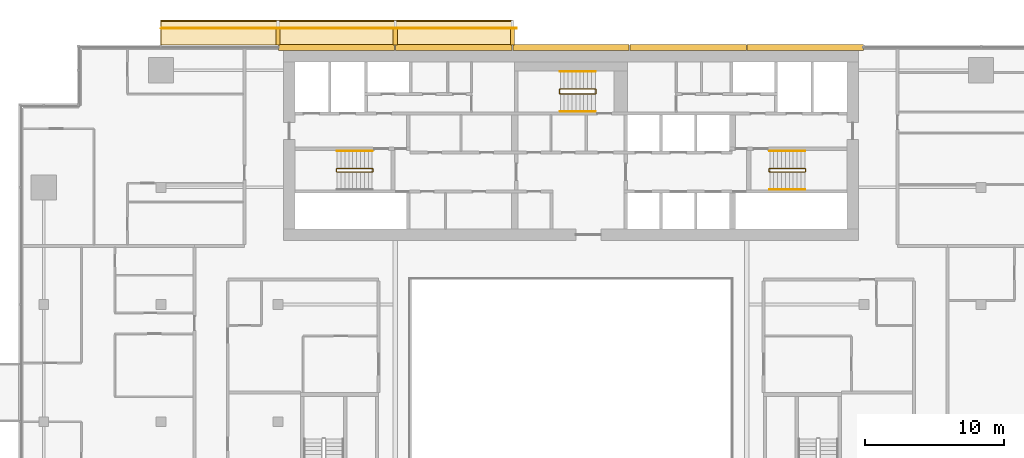
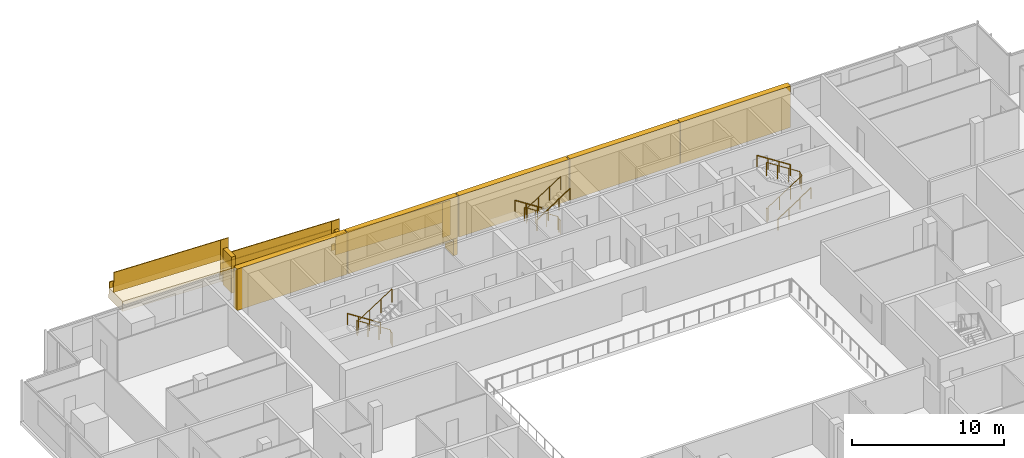
# One storey, part 27 of 28: 14 coverings, 14 railings.
"""IFC4 building model written with IfcOpenShell, lengths in metres."""

from ifc_helpers import new_model, si_unit, direction, frame, origin, origin_2d, place, context, subcontext, project, spatial, polyline, rectangle, circle, outline, extrude, material, layer, layer_set, type_object, element, save


model = new_model("IFC4")

# Units and contexts
model_context = context("Model", 3, precision=1e-05, world=origin(), true_north=direction((0.0, 1.0)))
body_context = subcontext(model_context, "Body", "Model", "MODEL_VIEW")
ifc_project = project(units=[si_unit("LENGTHUNIT", "METRE"), si_unit("AREAUNIT", "SQUARE_METRE"), si_unit("VOLUMEUNIT", "CUBIC_METRE"), si_unit("PLANEANGLEUNIT", "RADIAN"), si_unit("MASSUNIT", "GRAM", prefix="KILO")], contexts=[model_context])

# Site, building, storey
site_placement = place(None, origin())
site = spatial("IfcSite", under=ifc_project, at=site_placement, CompositionType="ELEMENT")
building_placement = place(site_placement, origin())
building = spatial("IfcBuilding", under=site, at=building_placement, Name="Saffron Gate Tower", CompositionType="ELEMENT")
storey_placement = place(building_placement, frame((0.0, 0.0, 176.25)))
storey = spatial("IfcBuildingStorey", under=building, at=storey_placement, Name="L43", CompositionType="ELEMENT", Elevation=176.25)

# Coverings
ifc_material_1 = material(Name="Ceramic-printed bronze insulated panel")
ifc_layer_1 = layer(ifc_material_1, 0.43994140625)
ifc_layer_set_1 = layer_set([ifc_layer_1], Name="CLD3 ceramic-printed cladding panel 440")
covering_type_1 = type_object("IfcCoveringType", Name="CLD3 ceramic-printed cladding panel 440", PredefinedType="CLADDING", material=ifc_layer_set_1)
covering_1_placement = place(storey_placement, origin())
element("IfcCovering", 1, at=covering_1_placement, inside=storey, type_object=covering_type_1, Name="CLADDING ceramic-printed panel", PredefinedType="CLADDING", context=body_context, shape_type="SweptSolid", body=[
    extrude(outline(polyline([(108.56494140625, 75.639892578125), (100.235107421875, 75.639892578125), (100.235107421875, 75.199951171875), (108.56494140625, 75.199951171875), (108.56494140625, 75.639892578125)])), origin(), (0.0, 0.0, 1.0), 3.320068359375),
])
covering_2_placement = place(storey_placement, origin())
element("IfcCovering", 2, at=covering_2_placement, inside=storey, type_object=covering_type_1, Name="CLADDING ceramic-printed panel", PredefinedType="CLADDING", context=body_context, shape_type="SweptSolid", body=[
    extrude(outline(polyline([(100.1650390625, 75.639892578125), (91.8349609375, 75.639892578125), (91.8349609375, 75.199951171875), (100.1650390625, 75.199951171875), (100.1650390625, 75.639892578125)])), origin(), (0.0, 0.0, 1.0), 3.320068359375),
])
covering_3_placement = place(storey_placement, origin())
element("IfcCovering", 3, at=covering_3_placement, inside=storey, type_object=covering_type_1, Name="CLADDING ceramic-printed panel", PredefinedType="CLADDING", context=body_context, shape_type="SweptSolid", body=[
    extrude(outline(polyline([(91.764892578125, 75.639892578125), (83.43505859375, 75.639892578125), (83.43505859375, 75.199951171875), (91.764892578125, 75.199951171875), (91.764892578125, 75.639892578125)])), origin(), (0.0, 0.0, 1.0), 3.320068359375),
])
covering_4_placement = place(storey_placement, origin())
element("IfcCovering", 4, at=covering_4_placement, inside=storey, type_object=covering_type_1, Name="CLADDING ceramic-printed panel", PredefinedType="CLADDING", context=body_context, shape_type="SweptSolid", body=[
    extrude(outline(polyline([(83.364990234375, 75.639892578125), (75.034912109375, 75.639892578125), (75.034912109375, 75.199951171875), (83.364990234375, 75.199951171875), (83.364990234375, 75.639892578125)])), origin(), (0.0, 0.0, 1.0), 3.320068359375),
])
covering_5_placement = place(storey_placement, origin())
element("IfcCovering", 5, at=covering_5_placement, inside=storey, type_object=covering_type_1, Name="CLADDING ceramic-printed panel", PredefinedType="CLADDING", context=body_context, shape_type="SweptSolid", body=[
    extrude(outline(polyline([(74.965087890625, 75.639892578125), (66.635009765625, 75.639892578125), (66.635009765625, 75.199951171875), (74.965087890625, 75.199951171875), (74.965087890625, 75.639892578125)])), origin(), (0.0, 0.0, 1.0), 3.320068359375),
])

# Railings
ifc_material_2 = material(Name="Stainless steel and laminated glass", Category="steel")
railing_type_1 = type_object("IfcRailingType", Name="CR1 Stair guard 1100", PredefinedType="GUARDRAIL", material=ifc_material_2)
railing_1_placement = place(storey_placement, frame((73.39990234375, 66.550048828125, 0.0)))
element("IfcRailing", 6, at=railing_1_placement, inside=storey, type_object=railing_type_1, Name="L43 ST-A stair guard 1", PredefinedType="GUARDRAIL", context=body_context, shape_type="SweptSolid", body=[
    extrude(circle(Radius=0.02392578125, at=origin_2d()), frame((0.0, 0.0, 1.076171875), z_axis=(0.0, 1.0, 0.0), x_axis=(-1.0, 0.0, 0.0)), (0.0, 0.0, 1.0), 0.14990234375),
    extrude(circle(Radius=0.02392578125, at=origin_2d()), frame((0.0, 0.14990234375, 1.076171875), z_axis=(-0.257669022063, 0.258932105505, 0.930892496375), x_axis=(-0.708833529934, -0.705375805398, 0.0)), (0.0, 0.0, 1.0), 0.193359375),
    extrude(circle(Radius=0.02392578125, at=origin_2d()), frame((-0.0498046875, 0.199951171875, 1.255859375), z_axis=(-0.841162588446, 0.0, 0.540782303519), x_axis=(0.0, -1.0, 0.0)), (0.0, 0.0, 1.0), 2.995849609375),
    extrude(circle(Radius=0.02392578125, at=origin_2d()), frame((-2.56982421875, 0.199951171875, 2.8759765625), z_axis=(-0.707106781187, -0.707106781187, 0.0), x_axis=(0.707106781187, -0.707106781187, 0.0)), (0.0, 0.0, 1.0), 0.07080078125),
    extrude(circle(Radius=0.02392578125, at=origin_2d()), frame((-2.619873046875, 0.14990234375, 2.8759765625), z_axis=(0.0, -1.0, 0.0), x_axis=(1.0, 0.0, 0.0)), (0.0, 0.0, 1.0), 0.14990234375),
    extrude(circle(Radius=0.02392578125, at=origin_2d()), frame((-2.619873046875, 0.0, 2.8759765625), z_axis=(0.258847668887, -0.258847668887, 0.930588936439), x_axis=(0.707106781187, 0.707106781187, 0.0)), (0.0, 0.0, 1.0), 0.193359375),
    extrude(circle(Radius=0.02392578125, at=origin_2d()), frame((-2.56982421875, -0.050048828125, 3.05615234375), z_axis=(0.841162588446, 0.0, 0.540782303519), x_axis=(0.0, 1.0, 0.0)), (0.0, 0.0, 1.0), 2.995849609375),
    extrude(circle(Radius=0.02099609375, at=origin_2d()), origin(), (0.0, 0.0, 1.0), 1.052001953125),
    extrude(circle(Radius=0.02099609375, at=origin_2d()), frame((0.0, 0.14990234375, 0.0)), (0.0, 0.0, 1.0), 1.052001953125),
    extrude(circle(Radius=0.02099609375, at=origin_2d()), frame((-0.0498046875, 0.199951171875, 0.179931640625)), (0.0, 0.0, 1.0), 1.052001953125),
    extrude(circle(Radius=0.02099609375, at=origin_2d()), frame((-0.889892578125, 0.199951171875, 0.719970703125)), (0.0, 0.0, 1.0), 1.052001953125),
    extrude(circle(Radius=0.02099609375, at=origin_2d()), frame((-1.729736328125, 0.199951171875, 1.260009765625)), (0.0, 0.0, 1.0), 1.052001953125),
    extrude(circle(Radius=0.02099609375, at=origin_2d()), frame((-2.56982421875, 0.199951171875, 1.800048828125)), (0.0, 0.0, 1.0), 1.052001953125),
    extrude(circle(Radius=0.02099609375, at=origin_2d()), frame((-2.619873046875, 0.14990234375, 1.800048828125)), (0.0, 0.0, 1.0), 1.052001953125),
    extrude(circle(Radius=0.02099609375, at=origin_2d()), frame((-2.619873046875, 0.0, 1.800048828125)), (0.0, 0.0, 1.0), 1.052001953125),
    extrude(circle(Radius=0.02099609375, at=origin_2d()), frame((-2.56982421875, -0.050048828125, 1.97998046875)), (0.0, 0.0, 1.0), 1.052001953125),
    extrude(circle(Radius=0.02099609375, at=origin_2d()), frame((-1.729736328125, -0.050048828125, 2.52001953125)), (0.0, 0.0, 1.0), 1.052001953125),
    extrude(circle(Radius=0.02099609375, at=origin_2d()), frame((-0.889892578125, -0.050048828125, 3.06005859375)), (0.0, 0.0, 1.0), 1.052001953125),
    extrude(circle(Radius=0.02099609375, at=origin_2d()), frame((-0.0498046875, -0.050048828125, 3.60009765625)), (0.0, 0.0, 1.0), 1.052001953125),
])
railing_2_placement = place(storey_placement, frame((101.800048828125, 66.699951171875, 0.0)))
element("IfcRailing", 7, at=railing_2_placement, inside=storey, type_object=railing_type_1, Name="L43 ST-B stair guard 1", PredefinedType="GUARDRAIL", context=body_context, shape_type="SweptSolid", body=[
    extrude(circle(Radius=0.02392578125, at=origin_2d()), frame((0.0, 0.0, 1.076171875), z_axis=(0.0, -1.0, 0.0), x_axis=(1.0, 0.0, 0.0)), (0.0, 0.0, 1.0), 0.14990234375),
    extrude(circle(Radius=0.02392578125, at=origin_2d()), frame((0.0, -0.14990234375, 1.076171875), z_axis=(0.258847668887, -0.258847668887, 0.930588936439), x_axis=(0.707106781187, 0.707106781187, 0.0)), (0.0, 0.0, 1.0), 0.193359375),
    extrude(circle(Radius=0.02392578125, at=origin_2d()), frame((0.050048828125, -0.199951171875, 1.255859375), z_axis=(0.841162588446, 0.0, 0.540782303519), x_axis=(0.0, 1.0, 0.0)), (0.0, 0.0, 1.0), 2.995849609375),
    extrude(circle(Radius=0.02392578125, at=origin_2d()), frame((2.570068359375, -0.199951171875, 2.8759765625), z_axis=(0.705375805398, 0.708833529934, 0.0), x_axis=(-0.708833529934, 0.705375805398, 0.0)), (0.0, 0.0, 1.0), 0.070556640625),
    extrude(circle(Radius=0.02392578125, at=origin_2d()), frame((2.619873046875, -0.14990234375, 2.8759765625), z_axis=(0.0, 1.0, 0.0), x_axis=(-1.0, 0.0, 0.0)), (0.0, 0.0, 1.0), 0.14990234375),
    extrude(circle(Radius=0.02392578125, at=origin_2d()), frame((2.619873046875, 0.0, 2.8759765625), z_axis=(-0.257669022063, 0.258932105505, 0.930892496375), x_axis=(-0.708833529934, -0.705375805398, 0.0)), (0.0, 0.0, 1.0), 0.193359375),
    extrude(circle(Radius=0.02392578125, at=origin_2d()), frame((2.570068359375, 0.050048828125, 3.05615234375), z_axis=(-0.841162588446, 0.0, 0.540782303519), x_axis=(0.0, -1.0, 0.0)), (0.0, 0.0, 1.0), 2.995849609375),
    extrude(circle(Radius=0.02099609375, at=origin_2d()), origin(), (0.0, 0.0, 1.0), 1.052001953125),
    extrude(circle(Radius=0.02099609375, at=origin_2d()), frame((0.0, -0.14990234375, 0.0)), (0.0, 0.0, 1.0), 1.052001953125),
    extrude(circle(Radius=0.02099609375, at=origin_2d()), frame((0.050048828125, -0.199951171875, 0.179931640625)), (0.0, 0.0, 1.0), 1.052001953125),
    extrude(circle(Radius=0.02099609375, at=origin_2d()), frame((0.89013671875, -0.199951171875, 0.719970703125)), (0.0, 0.0, 1.0), 1.052001953125),
    extrude(circle(Radius=0.02099609375, at=origin_2d()), frame((1.72998046875, -0.199951171875, 1.260009765625)), (0.0, 0.0, 1.0), 1.052001953125),
    extrude(circle(Radius=0.02099609375, at=origin_2d()), frame((2.570068359375, -0.199951171875, 1.800048828125)), (0.0, 0.0, 1.0), 1.052001953125),
    extrude(circle(Radius=0.02099609375, at=origin_2d()), frame((2.619873046875, -0.14990234375, 1.800048828125)), (0.0, 0.0, 1.0), 1.052001953125),
    extrude(circle(Radius=0.02099609375, at=origin_2d()), frame((2.619873046875, 0.0, 1.800048828125)), (0.0, 0.0, 1.0), 1.052001953125),
    extrude(circle(Radius=0.02099609375, at=origin_2d()), frame((2.570068359375, 0.050048828125, 1.97998046875)), (0.0, 0.0, 1.0), 1.052001953125),
    extrude(circle(Radius=0.02099609375, at=origin_2d()), frame((1.72998046875, 0.050048828125, 2.52001953125)), (0.0, 0.0, 1.0), 1.052001953125),
    extrude(circle(Radius=0.02099609375, at=origin_2d()), frame((0.89013671875, 0.050048828125, 3.06005859375)), (0.0, 0.0, 1.0), 1.052001953125),
    extrude(circle(Radius=0.02099609375, at=origin_2d()), frame((0.050048828125, 0.050048828125, 3.60009765625)), (0.0, 0.0, 1.0), 1.052001953125),
])
railing_3_placement = place(storey_placement, frame((89.39990234375, 72.14990234375, 0.0)))
element("IfcRailing", 8, at=railing_3_placement, inside=storey, type_object=railing_type_1, Name="L43 ST-C stair guard 1", PredefinedType="GUARDRAIL", context=body_context, shape_type="SweptSolid", body=[
    extrude(circle(Radius=0.02392578125, at=origin_2d()), frame((0.0, 0.0, 1.076171875), z_axis=(0.0, 1.0, 0.0), x_axis=(-1.0, 0.0, 0.0)), (0.0, 0.0, 1.0), 0.25),
    extrude(circle(Radius=0.02392578125, at=origin_2d()), frame((0.0, 0.25, 1.076171875), z_axis=(-0.257669022063, 0.258932105505, 0.930892496375), x_axis=(-0.708833529934, -0.705375805398, 0.0)), (0.0, 0.0, 1.0), 0.193359375),
    extrude(circle(Radius=0.02392578125, at=origin_2d()), frame((-0.0498046875, 0.300048828125, 1.255859375), z_axis=(-0.841162588446, 0.0, 0.540782303519), x_axis=(0.0, -1.0, 0.0)), (0.0, 0.0, 1.0), 2.995849609375),
    extrude(circle(Radius=0.02392578125, at=origin_2d()), frame((-2.56982421875, 0.300048828125, 2.8759765625), z_axis=(-0.707106781187, -0.707106781187, 0.0), x_axis=(0.707106781187, -0.707106781187, 0.0)), (0.0, 0.0, 1.0), 0.07080078125),
    extrude(circle(Radius=0.02392578125, at=origin_2d()), frame((-2.619873046875, 0.25, 2.8759765625), z_axis=(0.0, -1.0, 0.0), x_axis=(1.0, 0.0, 0.0)), (0.0, 0.0, 1.0), 0.25),
    extrude(circle(Radius=0.02392578125, at=origin_2d()), frame((-2.619873046875, 0.0, 2.8759765625), z_axis=(0.258932105505, -0.257669022063, 0.930892496375), x_axis=(0.705375805398, 0.708833529934, 0.0)), (0.0, 0.0, 1.0), 0.193359375),
    extrude(circle(Radius=0.02392578125, at=origin_2d()), frame((-2.56982421875, -0.0498046875, 3.05615234375), z_axis=(0.841162588446, 0.0, 0.540782303519), x_axis=(0.0, 1.0, 0.0)), (0.0, 0.0, 1.0), 2.995849609375),
    extrude(circle(Radius=0.02099609375, at=origin_2d()), origin(), (0.0, 0.0, 1.0), 1.052001953125),
    extrude(circle(Radius=0.02099609375, at=origin_2d()), frame((0.0, 0.25, 0.0)), (0.0, 0.0, 1.0), 1.052001953125),
    extrude(circle(Radius=0.02099609375, at=origin_2d()), frame((-0.0498046875, 0.300048828125, 0.179931640625)), (0.0, 0.0, 1.0), 1.052001953125),
    extrude(circle(Radius=0.02099609375, at=origin_2d()), frame((-0.889892578125, 0.300048828125, 0.719970703125)), (0.0, 0.0, 1.0), 1.052001953125),
    extrude(circle(Radius=0.02099609375, at=origin_2d()), frame((-1.729736328125, 0.300048828125, 1.260009765625)), (0.0, 0.0, 1.0), 1.052001953125),
    extrude(circle(Radius=0.02099609375, at=origin_2d()), frame((-2.56982421875, 0.300048828125, 1.800048828125)), (0.0, 0.0, 1.0), 1.052001953125),
    extrude(circle(Radius=0.02099609375, at=origin_2d()), frame((-2.619873046875, 0.25, 1.800048828125)), (0.0, 0.0, 1.0), 1.052001953125),
    extrude(circle(Radius=0.02099609375, at=origin_2d()), frame((-2.619873046875, 0.0, 1.800048828125)), (0.0, 0.0, 1.0), 1.052001953125),
    extrude(circle(Radius=0.02099609375, at=origin_2d()), frame((-2.56982421875, -0.0498046875, 1.97998046875)), (0.0, 0.0, 1.0), 1.052001953125),
    extrude(circle(Radius=0.02099609375, at=origin_2d()), frame((-1.729736328125, -0.0498046875, 2.52001953125)), (0.0, 0.0, 1.0), 1.052001953125),
    extrude(circle(Radius=0.02099609375, at=origin_2d()), frame((-0.889892578125, -0.0498046875, 3.06005859375)), (0.0, 0.0, 1.0), 1.052001953125),
    extrude(circle(Radius=0.02099609375, at=origin_2d()), frame((-0.0498046875, -0.0498046875, 3.60009765625)), (0.0, 0.0, 1.0), 1.052001953125),
])
ifc_material_3 = material(Name="Stainless steel", Category="steel")
railing_type_2 = type_object("IfcRailingType", Name="CR2 Stair handrail 900", PredefinedType="HANDRAIL", material=ifc_material_3)
railing_4_placement = place(storey_placement, frame((73.35009765625, 68.0, 0.179931640625)))
element("IfcRailing", 9, at=railing_4_placement, inside=storey, type_object=railing_type_2, Name="L43 ST-A stair handrail 1", PredefinedType="HANDRAIL", context=body_context, shape_type="SweptSolid", body=[
    extrude(circle(Radius=0.02392578125, at=origin_2d()), frame((0.0, 0.0, 0.8759765625), z_axis=(-0.841162588446, 0.0, 0.540782303519), x_axis=(0.0, -1.0, 0.0)), (0.0, 0.0, 1.0), 2.995849609375),
    extrude(circle(Radius=0.02099609375, at=origin_2d()), origin(), (0.0, 0.0, 1.0), 0.851806640625),
    extrude(circle(Radius=0.02099609375, at=origin_2d()), frame((-0.840087890625, 0.0, 0.5400390625)), (0.0, 0.0, 1.0), 0.851806640625),
    extrude(circle(Radius=0.02099609375, at=origin_2d()), frame((-1.679931640625, 0.0, 1.080078125)), (0.0, 0.0, 1.0), 0.851806640625),
    extrude(circle(Radius=0.02099609375, at=origin_2d()), frame((-2.52001953125, 0.0, 1.6201171875)), (0.0, 0.0, 1.0), 0.851806640625),
])
railing_5_placement = place(storey_placement, frame((101.85009765625, 65.25, 0.179931640625)))
element("IfcRailing", 10, at=railing_5_placement, inside=storey, type_object=railing_type_2, Name="L43 ST-B stair handrail 1", PredefinedType="HANDRAIL", context=body_context, shape_type="SweptSolid", body=[
    extrude(circle(Radius=0.02392578125, at=origin_2d()), frame((0.0, 0.0, 0.8759765625), z_axis=(0.841162588446, 0.0, 0.540782303519), x_axis=(0.0, 1.0, 0.0)), (0.0, 0.0, 1.0), 2.995849609375),
    extrude(circle(Radius=0.02099609375, at=origin_2d()), origin(), (0.0, 0.0, 1.0), 0.851806640625),
    extrude(circle(Radius=0.02099609375, at=origin_2d()), frame((0.840087890625, 0.0, 0.5400390625)), (0.0, 0.0, 1.0), 0.851806640625),
    extrude(circle(Radius=0.02099609375, at=origin_2d()), frame((1.679931640625, 0.0, 1.080078125)), (0.0, 0.0, 1.0), 0.851806640625),
    extrude(circle(Radius=0.02099609375, at=origin_2d()), frame((2.52001953125, 0.0, 1.6201171875)), (0.0, 0.0, 1.0), 0.851806640625),
])
for number, where, name in (
    (11, (104.3701171875, 68.0, 1.97998046875), "L43 ST-B stair handrail 2"),
    (12, (89.35009765625, 73.699951171875, 0.179931640625), "L43 ST-C stair handrail 1"),
):
    element("IfcRailing", number, at=place(storey_placement, frame(where)), inside=storey, type_object=railing_type_2, Name=name, PredefinedType="HANDRAIL", context=body_context, shape_type="SweptSolid", body=[
        extrude(circle(Radius=0.02392578125, at=origin_2d()), frame((0.0, 0.0, 0.8759765625), z_axis=(-0.841162588446, 0.0, 0.540782303519), x_axis=(0.0, -1.0, 0.0)), (0.0, 0.0, 1.0), 2.995849609375),
        extrude(circle(Radius=0.02099609375, at=origin_2d()), origin(), (0.0, 0.0, 1.0), 0.851806640625),
        extrude(circle(Radius=0.02099609375, at=origin_2d()), frame((-0.840087890625, 0.0, 0.5400390625)), (0.0, 0.0, 1.0), 0.851806640625),
        extrude(circle(Radius=0.02099609375, at=origin_2d()), frame((-1.679931640625, 0.0, 1.080078125)), (0.0, 0.0, 1.0), 0.851806640625),
        extrude(circle(Radius=0.02099609375, at=origin_2d()), frame((-2.52001953125, 0.0, 1.6201171875)), (0.0, 0.0, 1.0), 0.851806640625),
    ])
railing_6_placement = place(storey_placement, frame((86.830078125, 70.85009765625, 1.97998046875)))
element("IfcRailing", 13, at=railing_6_placement, inside=storey, type_object=railing_type_2, Name="L43 ST-C stair handrail 2", PredefinedType="HANDRAIL", context=body_context, shape_type="SweptSolid", body=[
    extrude(circle(Radius=0.02392578125, at=origin_2d()), frame((0.0, 0.0, 0.8759765625), z_axis=(0.841162588446, 0.0, 0.540782303519), x_axis=(0.0, 1.0, 0.0)), (0.0, 0.0, 1.0), 2.995849609375),
    extrude(circle(Radius=0.02099609375, at=origin_2d()), origin(), (0.0, 0.0, 1.0), 0.851806640625),
    extrude(circle(Radius=0.02099609375, at=origin_2d()), frame((0.840087890625, 0.0, 0.5400390625)), (0.0, 0.0, 1.0), 0.851806640625),
    extrude(circle(Radius=0.02099609375, at=origin_2d()), frame((1.679931640625, 0.0, 1.080078125)), (0.0, 0.0, 1.0), 0.851806640625),
    extrude(circle(Radius=0.02099609375, at=origin_2d()), frame((2.52001953125, 0.0, 1.6201171875)), (0.0, 0.0, 1.0), 0.851806640625),
])

# Coverings
ifc_material_4 = material(Name="Timber, thermally modified ash", Category="wood")
ifc_layer_2 = layer(ifc_material_4, 0.800048828125)
ifc_layer_set_2 = layer_set([ifc_layer_2], Name="LD1 ledge timber")
covering_type_2 = type_object("IfcCoveringType", Name="LD1 ledge timber", PredefinedType="CLADDING", material=ifc_layer_set_2)
for number, where, z_axis, x_axis, name in (
    (14, (83.39990234375, 75.60009765625, 0.32861328125), (0.028791175352, 0.0, 0.999585448184), (-0.999585448184, 0.0, 0.028791175352), "LEDGE"),
    (15, (75.0, 75.60009765625, 1.77099609375), (0.028791175352, 0.0, 0.999585448184), (-0.999585448184, 0.0, 0.028791175352), "LEDGE"),
):
    element("IfcCovering", number, at=place(storey_placement, frame(where, z_axis=z_axis, x_axis=x_axis)), inside=storey, type_object=covering_type_2, Name=name, PredefinedType="CLADDING", context=body_context, shape_type="SweptSolid", body=[
        extrude(outline(polyline([(0.0, 0.0), (8.403385982666892, 0.0), (8.403385982666892, -1.7998046875), (0.0, -1.7998046875), (0.0, 0.0)])), origin(), (0.0, 0.0, -1.0), 0.800048828125),
    ])
covering_6_placement = place(storey_placement, frame((66.60009765625, 75.60009765625, 3.21337890625), z_axis=(0.028790339263, 0.0, 0.999585472266), x_axis=(-0.999585472266, 0.0, 0.028790339263)))
element("IfcCovering", 16, at=covering_6_placement, inside=storey, type_object=covering_type_2, Name="LEDGE", PredefinedType="CLADDING", context=body_context, shape_type="SweptSolid", body=[
    extrude(outline(polyline([(0.0, 0.0), (8.403630022085892, 0.0), (8.403630022085892, -1.7998046875), (0.0, -1.7998046875), (0.0, 0.0)])), origin(), (0.0, 0.0, -1.0), 0.800048828125),
])
ifc_layer_3 = layer(ifc_material_4, 0.080078125)
ifc_layer_set_3 = layer_set([ifc_layer_3], Name="LD2 ledge planter trough")
covering_type_3 = type_object("IfcCoveringType", Name="LD2 ledge planter trough", PredefinedType="CLADDING", material=ifc_layer_set_3)
for number, where, z_axis, x_axis, name in (
    (17, (83.39990234375, 77.39990234375, 0.32861328125), (0.0, 1.0, 0.0), (-0.999585448184, 0.0, 0.028791175352), "LEDGE planter trough"),
    (18, (75.0, 77.39990234375, 1.77099609375), (0.0, 1.0, 0.0), (-0.999585448184, 0.0, 0.028791175352), "LEDGE planter trough"),
):
    element("IfcCovering", number, at=place(storey_placement, frame(where, z_axis=z_axis, x_axis=x_axis)), inside=storey, type_object=covering_type_3, Name=name, PredefinedType="CLADDING", context=body_context, shape_type="SweptSolid", body=[
        extrude(outline(polyline([(0.0, 0.0), (8.403385982666892, 0.0), (8.417781570342743, 0.49979272409216496), (0.014395587675851172, 0.4997927240921649), (0.0, 0.0)])), origin(), (0.0, 0.0, -1.0), 0.080078125),
    ])
covering_7_placement = place(storey_placement, frame((66.60009765625, 77.39990234375, 3.21337890625), z_axis=(0.0, 1.0, 0.0), x_axis=(-0.999585472266, 0.0, 0.028790339263)))
element("IfcCovering", 19, at=covering_7_placement, inside=storey, type_object=covering_type_3, Name="LEDGE planter trough", PredefinedType="CLADDING", context=body_context, shape_type="SweptSolid", body=[
    extrude(outline(polyline([(0.0, 0.0), (8.403630022085892, 0.0), (8.418025191717298, 0.4997927361329725), (0.014395169631405694, 0.4997927361329725), (0.0, 0.0)])), origin(), (0.0, 0.0, -1.0), 0.080078125),
])
ifc_layer_4 = layer(ifc_material_4, 0.300048828125)
ifc_layer_set_4 = layer_set([ifc_layer_4], Name="LD3 ledge riser fin")
covering_type_4 = type_object("IfcCoveringType", Name="LD3 ledge riser fin", PredefinedType="CLADDING", material=ifc_layer_set_4)
for number, where, z_axis, x_axis, name in (
    (20, (83.39990234375, 76.159912109375, -1.671875), (0.0, 0.0, 1.0), (-1.0, 0.0, 0.0), "LEDGE riser fin"),
    (21, (75.0, 76.159912109375, -0.2294921875), (0.0, 0.0, 1.0), (-1.0, 0.0, 0.0), "LEDGE riser fin"),
    (22, (66.60009765625, 76.159912109375, 1.212890625), (0.0, 0.0, 1.0), (-1.0, 0.0, 0.0), "LEDGE riser fin"),
):
    element("IfcCovering", number, at=place(storey_placement, frame(where, z_axis=z_axis, x_axis=x_axis)), inside=storey, type_object=covering_type_4, Name=name, PredefinedType="CLADDING", context=body_context, shape_type="SweptSolid", body=[
        extrude(rectangle(XDim=0.300048828125, YDim=1.1201171875, at=origin_2d()), origin(), (0.0, 0.0, 1.0), 2.900390625),
    ])

# Railings
railing_type_3 = type_object("IfcRailingType", Name="LG1 ledge balustrade", PredefinedType="BALUSTRADE", material=ifc_material_4)
railing_7_placement = place(storey_placement, frame((83.39990234375, 76.800048828125, 0.32861328125)))
element("IfcRailing", 23, at=railing_7_placement, inside=storey, type_object=railing_type_3, Name="LEDGE BALUSTRADE", PredefinedType="BALUSTRADE", context=body_context, shape_type="SweptSolid", body=[
    extrude(rectangle(XDim=0.06005859375, YDim=1.60009765625, at=origin_2d()), frame((0.0, 0.0, 0.800048828125), z_axis=(-0.999585448184, 0.0, 0.028791175352), x_axis=(0.0, -1.0, 0.0)), (0.0, 0.0, 1.0), 8.4033203125),
])
railing_8_placement = place(storey_placement, frame((83.699951171875, 76.800048828125, -0.871826171875)))
element("IfcRailing", 24, at=railing_8_placement, inside=storey, type_object=railing_type_3, Name="LEDGE BALUSTRADE", PredefinedType="BALUSTRADE", context=body_context, shape_type="SweptSolid", body=[
    extrude(rectangle(XDim=0.06005859375, YDim=2.80029296875, at=origin_2d()), frame((0.0, 0.0, 1.400146484375), z_axis=(-1.0, 0.0, 0.0), x_axis=(0.0, -1.0, 0.0)), (0.0, 0.0, 1.0), 0.599853515625),
])
railing_9_placement = place(storey_placement, frame((75.0, 76.800048828125, 1.77099609375)))
element("IfcRailing", 25, at=railing_9_placement, inside=storey, type_object=railing_type_3, Name="LEDGE BALUSTRADE", PredefinedType="BALUSTRADE", context=body_context, shape_type="SweptSolid", body=[
    extrude(rectangle(XDim=0.06005859375, YDim=1.60009765625, at=origin_2d()), frame((0.0, 0.0, 0.800048828125), z_axis=(-0.999585448184, 0.0, 0.028791175352), x_axis=(0.0, -1.0, 0.0)), (0.0, 0.0, 1.0), 8.4033203125),
])
railing_10_placement = place(storey_placement, frame((75.300048828125, 76.800048828125, 0.570556640625)))
element("IfcRailing", 26, at=railing_10_placement, inside=storey, type_object=railing_type_3, Name="LEDGE BALUSTRADE", PredefinedType="BALUSTRADE", context=body_context, shape_type="SweptSolid", body=[
    extrude(rectangle(XDim=0.06005859375, YDim=2.80029296875, at=origin_2d()), frame((0.0, 0.0, 1.400146484375), z_axis=(-1.0, 0.0, 0.0), x_axis=(0.0, -1.0, 0.0)), (0.0, 0.0, 1.0), 0.60009765625),
])
railing_11_placement = place(storey_placement, frame((66.60009765625, 76.800048828125, 3.21337890625)))
element("IfcRailing", 27, at=railing_11_placement, inside=storey, type_object=railing_type_3, Name="LEDGE BALUSTRADE", PredefinedType="BALUSTRADE", context=body_context, shape_type="SweptSolid", body=[
    extrude(rectangle(XDim=0.06005859375, YDim=1.60009765625, at=origin_2d()), frame((0.0, 0.0, 0.800048828125), z_axis=(-0.999585472266, 0.0, 0.028790339263), x_axis=(0.0, -1.0, 0.0)), (0.0, 0.0, 1.0), 8.403564453125),
])
railing_12_placement = place(storey_placement, frame((66.89990234375, 76.800048828125, 2.012939453125)))
element("IfcRailing", 28, at=railing_12_placement, inside=storey, type_object=railing_type_3, Name="LEDGE BALUSTRADE", PredefinedType="BALUSTRADE", context=body_context, shape_type="SweptSolid", body=[
    extrude(rectangle(XDim=0.06005859375, YDim=2.80029296875, at=origin_2d()), frame((0.0, 0.0, 1.400146484375), z_axis=(-1.0, 0.0, 0.0), x_axis=(0.0, -1.0, 0.0)), (0.0, 0.0, 1.0), 0.599853515625),
])

save(model, "model.ifc")
